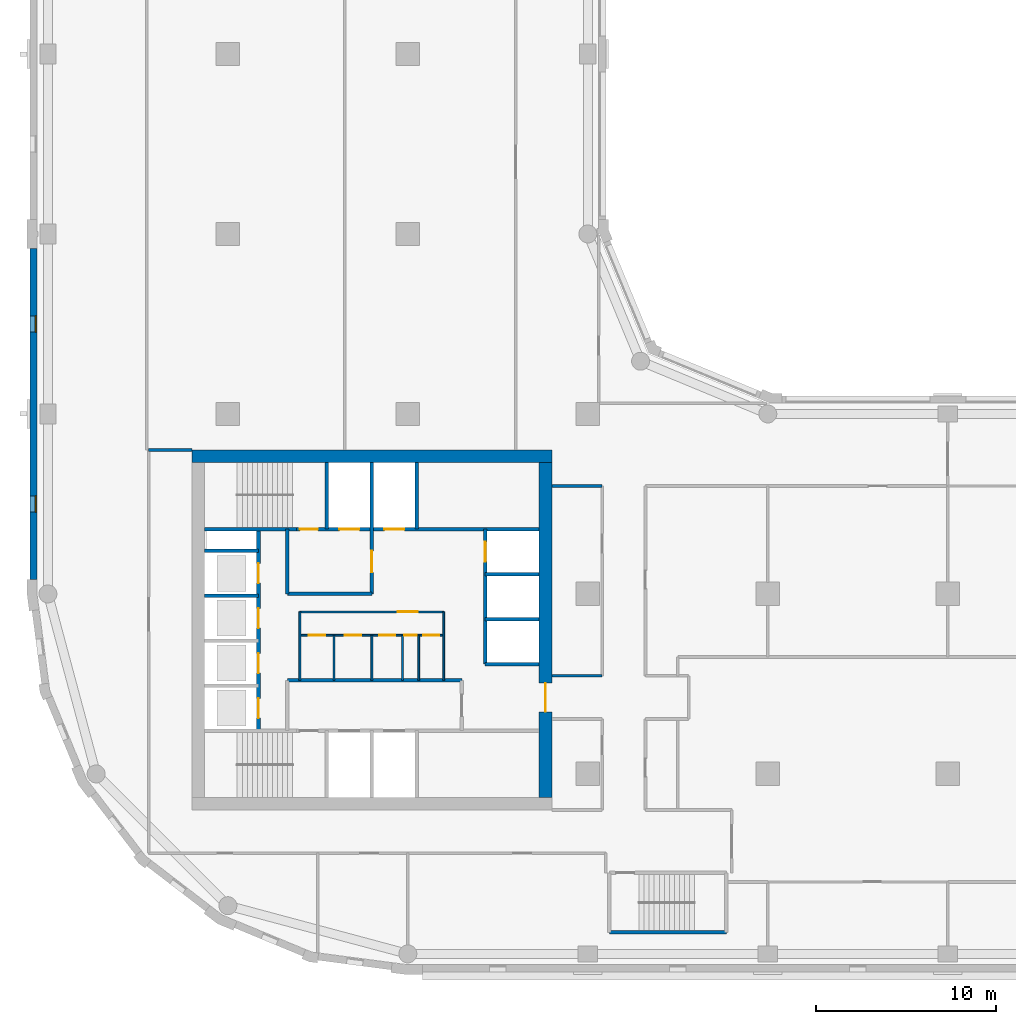
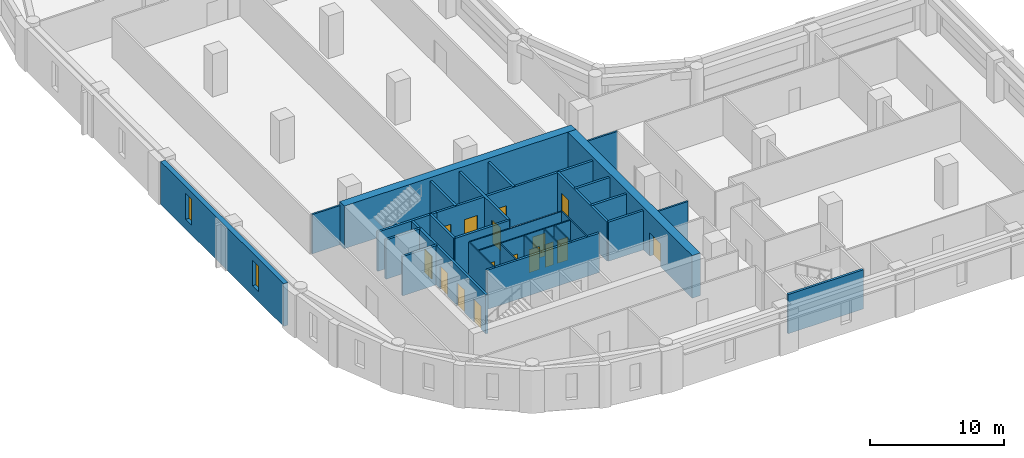
# One storey, part 3 of 9: 30 walls, 16 doors, 2 windows, 18 openings.
"""IFC4 building model written with IfcOpenShell, lengths in metres."""

from ifc_helpers import new_model, si_unit, direction, frame, frame_2d, origin, place, context, subcontext, project, spatial, rectangle, extrude, material, layer, layer_set, type_object, element, fill, save


model = new_model("IFC4")

# Units and contexts
model_context = context("Model", 3, precision=1e-05, world=origin(), true_north=direction((0.0, 1.0)))
body_context = subcontext(model_context, "Body", "Model", "MODEL_VIEW")
ifc_project = project(units=[si_unit("LENGTHUNIT", "METRE"), si_unit("AREAUNIT", "SQUARE_METRE"), si_unit("VOLUMEUNIT", "CUBIC_METRE"), si_unit("PLANEANGLEUNIT", "RADIAN"), si_unit("MASSUNIT", "GRAM", prefix="KILO")], contexts=[model_context])

# Site, building, storey
site_placement = place(None, origin())
site = spatial("IfcSite", under=ifc_project, at=site_placement, CompositionType="ELEMENT")
building_placement = place(site_placement, origin())
building = spatial("IfcBuilding", under=site, at=building_placement, Name="Qaws Garden Tower", CompositionType="ELEMENT")
storey_placement = place(building_placement, frame((0.0, 0.0, 151.199951171875)))
storey = spatial("IfcBuildingStorey", under=building, at=storey_placement, Name="L36", CompositionType="ELEMENT", Elevation=151.199951171875)

# Wall, openings, windows
ifc_material_1 = material(Name="Clay facing brick masonry", Category="masonry")
ifc_layer_1 = layer(ifc_material_1, 0.39990234375)
ifc_layer_set_1 = layer_set([ifc_layer_1], Name="Clay facing brick masonry")
wall_type_1 = type_object("IfcWallType", Name="Brick infill wall 400", PredefinedType="SOLIDWALL", material=ifc_layer_set_1)
wall_1_placement = place(storey_placement, frame((-0.800048828125, 39.199951171875, 0.0), z_axis=(0.0, 0.0, 1.0), x_axis=(0.0, -1.0, 0.0)))
wall_1 = element("IfcWall", 1, at=wall_1_placement, inside=storey, type_object=wall_type_1, Name="E-L36-infill-23", PredefinedType="SOLIDWALL", context=body_context, shape_type="SweptSolid", body=[
    extrude(rectangle(XDim=18.39990234375, YDim=0.39990234375, at=frame_2d((9.199951171875, 0.0))), origin(), (0.0, 0.0, 1.0), 3.900146484375),
])
opening_1_placement = place(wall_1_placement, frame((3.75, 0.0, 0.89990234375)))
opening_1 = element("IfcOpeningElement", 2, at=opening_1_placement, cuts=wall_1, Name="Opening W09", PredefinedType="OPENING", context=body_context, shape_type="SweptSolid", body=[
    extrude(rectangle(XDim=0.89990234375, YDim=2.35009765625, at=frame_2d((0.449951171875, 1.175048828125))), frame((0.0, 0.2099609375, 0.0), z_axis=(0.0, -1.0, 0.0), x_axis=(1.0, 0.0, 0.0)), (0.0, 0.0, 1.0), 0.419921875),
])
opening_2_placement = place(wall_1_placement, frame((13.75, 0.0, 0.89990234375)))
opening_2 = element("IfcOpeningElement", 3, at=opening_2_placement, cuts=wall_1, Name="Opening W09", PredefinedType="OPENING", context=body_context, shape_type="SweptSolid", body=[
    extrude(rectangle(XDim=0.89990234375, YDim=2.35009765625, at=frame_2d((0.449951171875, 1.175048828125))), frame((0.0, 0.2099609375, 0.0), z_axis=(0.0, -1.0, 0.0), x_axis=(1.0, 0.0, 0.0)), (0.0, 0.0, 1.0), 0.419921875),
])
ifc_material_2 = material(Name="Aluminium framed window, clear glazing", Category="aluminium")
window_type = type_object("IfcWindowType", Name="Slit window 900 x 2350", PartitioningType="SINGLE_PANEL", PredefinedType="WINDOW", material=ifc_material_2)
window_1_placement = place(opening_1_placement, origin())
window_1 = element("IfcWindow", 4, at=window_1_placement, inside=storey, type_object=window_type, Name="E-L36-window-23-0", OverallHeight=2.35009765625, OverallWidth=0.89990234375, PartitioningType="SINGLE_PANEL", PredefinedType="WINDOW", context=body_context, shape_type="SweptSolid", body=[
    extrude(rectangle(XDim=0.89990234375, YDim=2.35009765625, at=frame_2d((0.449951171875, 1.175048828125))), frame((0.0, 0.159912109375, 0.0), z_axis=(0.0, -1.0, 0.0), x_axis=(1.0, 0.0, 0.0)), (0.0, 0.0, 1.0), 0.06005859375),
])
fill(opening_1, window_1)
window_2_placement = place(opening_2_placement, origin())
window_2 = element("IfcWindow", 5, at=window_2_placement, inside=storey, type_object=window_type, Name="E-L36-window-24-0", OverallHeight=2.35009765625, OverallWidth=0.89990234375, PartitioningType="SINGLE_PANEL", PredefinedType="WINDOW", context=body_context, shape_type="SweptSolid", body=[
    extrude(rectangle(XDim=0.89990234375, YDim=2.35009765625, at=frame_2d((0.449951171875, 1.175048828125))), frame((0.0, 0.159912109375, 0.0), z_axis=(0.0, -1.0, 0.0), x_axis=(1.0, 0.0, 0.0)), (0.0, 0.0, 1.0), 0.06005859375),
])
fill(opening_2, window_2)

# Wall, openings, doors
ifc_material_3 = material(Name="Plasterboard")
ifc_layer_2 = layer(ifc_material_3, 0.10009765625)
ifc_layer_set_2 = layer_set([ifc_layer_2], Name="Plasterboard")
wall_type_2 = type_object("IfcWallType", Name="Core partition 100", PredefinedType="PARTITIONING", material=ifc_layer_set_2)
wall_2_placement = place(storey_placement, frame((14.0, 17.699951171875, 0.0), z_axis=(0.0, 0.0, 1.0), x_axis=(1.0, 0.0, 0.0)))
wall_2 = element("IfcWall", 6, at=wall_2_placement, inside=storey, type_object=wall_type_2, Name="Core partition", PredefinedType="PARTITIONING", context=body_context, shape_type="SweptSolid", body=[
    extrude(rectangle(XDim=8.0, YDim=0.10009765625, at=frame_2d((4.0, 0.0))), origin(), (0.0, 0.0, 1.0), 3.580078125),
])
opening_3_placement = place(wall_2_placement, frame((0.5, 0.0, 0.0)))
opening_3 = element("IfcOpeningElement", 7, at=opening_3_placement, cuts=wall_2, Name="Opening WD18", PredefinedType="OPENING", context=body_context, shape_type="SweptSolid", body=[
    extrude(rectangle(XDim=0.89990234375, YDim=2.10009765625, at=frame_2d((0.449951171875, 1.050048828125))), frame((0.0, 0.06005859375, 0.0), z_axis=(0.0, -1.0, 0.0), x_axis=(1.0, 0.0, 0.0)), (0.0, 0.0, 1.0), 0.1201171875),
])
opening_4_placement = place(wall_2_placement, frame((2.5, 0.0, 0.0)))
opening_4 = element("IfcOpeningElement", 8, at=opening_4_placement, cuts=wall_2, Name="Opening WD19", PredefinedType="OPENING", context=body_context, shape_type="SweptSolid", body=[
    extrude(rectangle(XDim=0.89990234375, YDim=2.10009765625, at=frame_2d((0.449951171875, 1.050048828125))), frame((0.0, 0.06005859375, 0.0), z_axis=(0.0, -1.0, 0.0), x_axis=(1.0, 0.0, 0.0)), (0.0, 0.0, 1.0), 0.1201171875),
])
opening_5_placement = place(wall_2_placement, frame((4.39990234375, 0.0, 0.0)))
opening_5 = element("IfcOpeningElement", 9, at=opening_5_placement, cuts=wall_2, Name="Opening WD20", PredefinedType="OPENING", context=body_context, shape_type="SweptSolid", body=[
    extrude(rectangle(XDim=0.89990234375, YDim=2.10009765625, at=frame_2d((0.449951171875, 1.050048828125))), frame((0.0, 0.06005859375, 0.0), z_axis=(0.0, -1.0, 0.0), x_axis=(1.0, 0.0, 0.0)), (0.0, 0.0, 1.0), 0.1201171875),
])
opening_6_placement = place(wall_2_placement, frame((5.800048828125, 0.0, 0.0)))
opening_6 = element("IfcOpeningElement", 10, at=opening_6_placement, cuts=wall_2, Name="Opening XD21", PredefinedType="OPENING", context=body_context, shape_type="SweptSolid", body=[
    extrude(rectangle(XDim=0.699951171875, YDim=2.10009765625, at=frame_2d((0.35009765625, 1.050048828125))), frame((0.0, 0.06005859375, 0.0), z_axis=(0.0, -1.0, 0.0), x_axis=(1.0, 0.0, 0.0)), (0.0, 0.0, 1.0), 0.1201171875),
])
opening_7_placement = place(wall_2_placement, frame((6.85009765625, 0.0, 0.0)))
opening_7 = element("IfcOpeningElement", 11, at=opening_7_placement, cuts=wall_2, Name="Opening WD22", PredefinedType="OPENING", context=body_context, shape_type="SweptSolid", body=[
    extrude(rectangle(XDim=0.89990234375, YDim=2.10009765625, at=frame_2d((0.449951171875, 1.050048828125))), frame((0.0, 0.06005859375, 0.0), z_axis=(0.0, -1.0, 0.0), x_axis=(1.0, 0.0, 0.0)), (0.0, 0.0, 1.0), 0.1201171875),
])
ifc_material_4 = material(Name="Timber", Category="wood")
door_type_1 = type_object("IfcDoorType", Name="Store door 700x2100", OperationType="SINGLE_SWING_LEFT", PredefinedType="DOOR", material=ifc_material_4)
door_1_placement = place(opening_6_placement, frame((0.699951171875, 0.0, 0.0), z_axis=(0.0, 0.0, 1.0), x_axis=(-1.0, 0.0, 0.0)))
door_1 = element("IfcDoor", 12, at=door_1_placement, inside=storey, type_object=door_type_1, Name="Cleaner's store door", OperationType="SINGLE_SWING_LEFT", OverallHeight=2.10009765625, OverallWidth=0.699951171875, PredefinedType="DOOR", context=body_context, shape_type="SweptSolid", body=[
    extrude(rectangle(XDim=0.699951171875, YDim=2.10009765625, at=frame_2d((0.35009765625, 1.050048828125))), frame((0.0, 0.02490234375, 0.0), z_axis=(0.0, -1.0, 0.0), x_axis=(1.0, 0.0, 0.0)), (0.0, 0.0, 1.0), 0.050048828125),
])
fill(opening_6, door_1)
ifc_material_5 = material(Name="Timber", Category="wood")
door_type_2 = type_object("IfcDoorType", Name="WC door 900x2100", OperationType="SINGLE_SWING_LEFT", PredefinedType="DOOR", material=ifc_material_5)
door_2_placement = place(opening_3_placement, frame((0.89990234375, 0.0, 0.0), z_axis=(0.0, 0.0, 1.0), x_axis=(-1.0, 0.0, 0.0)))
door_2 = element("IfcDoor", 13, at=door_2_placement, inside=storey, type_object=door_type_2, Name="Men's WC door", OperationType="SINGLE_SWING_LEFT", OverallHeight=2.10009765625, OverallWidth=0.89990234375, PredefinedType="DOOR", context=body_context, shape_type="SweptSolid", body=[
    extrude(rectangle(XDim=0.89990234375, YDim=2.10009765625, at=frame_2d((0.449951171875, 1.050048828125))), frame((0.0, 0.02490234375, 0.0), z_axis=(0.0, -1.0, 0.0), x_axis=(1.0, 0.0, 0.0)), (0.0, 0.0, 1.0), 0.050048828125),
])
fill(opening_3, door_2)
door_3_placement = place(opening_4_placement, frame((0.89990234375, 0.0, 0.0), z_axis=(0.0, 0.0, 1.0), x_axis=(-1.0, 0.0, 0.0)))
door_3 = element("IfcDoor", 14, at=door_3_placement, inside=storey, type_object=door_type_2, Name="Women's WC door", OperationType="SINGLE_SWING_LEFT", OverallHeight=2.10009765625, OverallWidth=0.89990234375, PredefinedType="DOOR", context=body_context, shape_type="SweptSolid", body=[
    extrude(rectangle(XDim=0.89990234375, YDim=2.10009765625, at=frame_2d((0.449951171875, 1.050048828125))), frame((0.0, 0.02490234375, 0.0), z_axis=(0.0, -1.0, 0.0), x_axis=(1.0, 0.0, 0.0)), (0.0, 0.0, 1.0), 0.050048828125),
])
fill(opening_4, door_3)
door_4_placement = place(opening_5_placement, frame((0.89990234375, 0.0, 0.0), z_axis=(0.0, 0.0, 1.0), x_axis=(-1.0, 0.0, 0.0)))
door_4 = element("IfcDoor", 15, at=door_4_placement, inside=storey, type_object=door_type_2, Name="Accessible WC door", OperationType="SINGLE_SWING_LEFT", OverallHeight=2.10009765625, OverallWidth=0.89990234375, PredefinedType="DOOR", context=body_context, shape_type="SweptSolid", body=[
    extrude(rectangle(XDim=0.89990234375, YDim=2.10009765625, at=frame_2d((0.449951171875, 1.050048828125))), frame((0.0, 0.02490234375, 0.0), z_axis=(0.0, -1.0, 0.0), x_axis=(1.0, 0.0, 0.0)), (0.0, 0.0, 1.0), 0.050048828125),
])
fill(opening_5, door_4)
door_5_placement = place(opening_7_placement, frame((0.89990234375, 0.0, 0.0), z_axis=(0.0, 0.0, 1.0), x_axis=(-1.0, 0.0, 0.0)))
door_5 = element("IfcDoor", 16, at=door_5_placement, inside=storey, type_object=door_type_2, Name="Linen store door", OperationType="SINGLE_SWING_LEFT", OverallHeight=2.10009765625, OverallWidth=0.89990234375, PredefinedType="DOOR", context=body_context, shape_type="SweptSolid", body=[
    extrude(rectangle(XDim=0.89990234375, YDim=2.10009765625, at=frame_2d((0.449951171875, 1.050048828125))), frame((0.0, 0.02490234375, 0.0), z_axis=(0.0, -1.0, 0.0), x_axis=(1.0, 0.0, 0.0)), (0.0, 0.0, 1.0), 0.050048828125),
])
fill(opening_7, door_5)

# Wall, opening, door
wall_3_placement = place(storey_placement, frame((14.0, 19.0, 0.0), z_axis=(0.0, 0.0, 1.0), x_axis=(1.0, 0.0, 0.0)))
wall_3 = element("IfcWall", 17, at=wall_3_placement, inside=storey, type_object=wall_type_2, Name="Core partition", PredefinedType="PARTITIONING", context=body_context, shape_type="SweptSolid", body=[
    extrude(rectangle(XDim=8.0, YDim=0.10009765625, at=frame_2d((4.0, 0.0))), origin(), (0.0, 0.0, 1.0), 3.580078125),
])
opening_8_placement = place(wall_3_placement, frame((5.449951171875, 0.0, 0.0)))
opening_8 = element("IfcOpeningElement", 18, at=opening_8_placement, cuts=wall_3, Name="Opening WL17", PredefinedType="OPENING", context=body_context, shape_type="SweptSolid", body=[
    extrude(rectangle(XDim=1.10009765625, YDim=2.10009765625, at=frame_2d((0.550048828125, 1.050048828125))), frame((0.0, 0.06005859375, 0.0), z_axis=(0.0, -1.0, 0.0), x_axis=(1.0, 0.0, 0.0)), (0.0, 0.0, 1.0), 0.1201171875),
])
ifc_material_6 = material(Name="Timber", Category="wood")
door_type_3 = type_object("IfcDoorType", Name="WC lobby door 1100x2100", OperationType="SINGLE_SWING_LEFT", PredefinedType="DOOR", material=ifc_material_6)
door_6_placement = place(opening_8_placement, frame((1.10009765625, 0.0, 0.0), z_axis=(0.0, 0.0, 1.0), x_axis=(-1.0, 0.0, 0.0)))
door_6 = element("IfcDoor", 19, at=door_6_placement, inside=storey, type_object=door_type_3, Name="WC lobby door", OperationType="SINGLE_SWING_LEFT", OverallHeight=2.10009765625, OverallWidth=1.10009765625, PredefinedType="DOOR", context=body_context, shape_type="SweptSolid", body=[
    extrude(rectangle(XDim=1.10009765625, YDim=2.10009765625, at=frame_2d((0.550048828125, 1.050048828125))), frame((0.0, 0.02490234375, 0.0), z_axis=(0.0, -1.0, 0.0), x_axis=(1.0, 0.0, 0.0)), (0.0, 0.0, 1.0), 0.050048828125),
])
fill(opening_8, door_6)

# Walls
wall_4_placement = place(storey_placement, frame((14.0, 15.199951171875, 0.0), z_axis=(0.0, 0.0, 1.0), x_axis=(0.0, 1.0, 0.0)))
element("IfcWall", 20, at=wall_4_placement, inside=storey, type_object=wall_type_2, Name="Core partition", PredefinedType="PARTITIONING", context=body_context, shape_type="SweptSolid", body=[
    extrude(rectangle(XDim=3.800048828125, YDim=0.10009765625, at=frame_2d((1.89990234375, 0.0))), origin(), (0.0, 0.0, 1.0), 3.580078125),
])
for number, where, z_axis, x_axis, name in (
    (21, (15.89990234375, 15.199951171875, 0.0), (0.0, 0.0, 1.0), (0.0, 1.0, 0.0), "Core partition"),
    (22, (18.0, 15.199951171875, 0.0), (0.0, 0.0, 1.0), (0.0, 1.0, 0.0), "Core partition"),
    (23, (19.699951171875, 15.199951171875, 0.0), (0.0, 0.0, 1.0), (0.0, 1.0, 0.0), "Core partition"),
    (24, (20.60009765625, 15.199951171875, 0.0), (0.0, 0.0, 1.0), (0.0, 1.0, 0.0), "Core partition"),
):
    element("IfcWall", number, at=place(storey_placement, frame(where, z_axis=z_axis, x_axis=x_axis)), inside=storey, type_object=wall_type_2, Name=name, PredefinedType="PARTITIONING", context=body_context, shape_type="SweptSolid", body=[
        extrude(rectangle(XDim=2.5, YDim=0.10009765625, at=frame_2d((1.25, 0.0))), origin(), (0.0, 0.0, 1.0), 3.580078125),
    ])
wall_5_placement = place(storey_placement, frame((22.0, 15.199951171875, 0.0), z_axis=(0.0, 0.0, 1.0), x_axis=(0.0, 1.0, 0.0)))
element("IfcWall", 25, at=wall_5_placement, inside=storey, type_object=wall_type_2, Name="Core partition", PredefinedType="PARTITIONING", context=body_context, shape_type="SweptSolid", body=[
    extrude(rectangle(XDim=3.800048828125, YDim=0.10009765625, at=frame_2d((1.89990234375, 0.0))), origin(), (0.0, 0.0, 1.0), 3.580078125),
])
ifc_material_7 = material(Name="Concrete C70", Category="concrete")
ifc_layer_3 = layer(ifc_material_7, 0.199951171875)
ifc_layer_set_3 = layer_set([ifc_layer_3], Name="Concrete C70")
wall_type_3 = type_object("IfcWallType", Name="Core shaft wall 200 C70", PredefinedType="SHEAR", material=ifc_layer_set_3)
wall_6_placement = place(storey_placement, frame((31.199951171875, 1.199951171875, 0.0), z_axis=(0.0, 0.0, 1.0), x_axis=(1.0, 0.0, 0.0)))
element("IfcWall", 26, at=wall_6_placement, inside=storey, type_object=wall_type_3, Name="Shaft wall", PredefinedType="SHEAR", context=body_context, shape_type="SweptSolid", body=[
    extrude(rectangle(XDim=6.5, YDim=0.199951171875, at=frame_2d((3.25, 0.0))), origin(), (0.0, 0.0, 1.0), 3.580078125),
])
wall_7_placement = place(storey_placement, frame((13.300048828125, 15.199951171875, 0.0), z_axis=(0.0, 0.0, 1.0), x_axis=(1.0, 0.0, 0.0)))
element("IfcWall", 27, at=wall_7_placement, inside=storey, type_object=wall_type_3, Name="Shaft wall", PredefinedType="SHEAR", context=body_context, shape_type="SweptSolid", body=[
    extrude(rectangle(XDim=9.699951171875, YDim=0.199951171875, at=frame_2d((4.85009765625, 0.0))), origin(), (0.0, 0.0, 1.0), 3.580078125),
])
for number, where, z_axis, x_axis, name in (
    (28, (24.300048828125, 16.10009765625, 0.0), (0.0, 0.0, 1.0), (1.0, 0.0, 0.0), "Shaft wall"),
    (29, (24.300048828125, 18.60009765625, 0.0), (0.0, 0.0, 1.0), (1.0, 0.0, 0.0), "Shaft wall"),
    (30, (8.699951171875, 19.89990234375, 0.0), (0.0, 0.0, 1.0), (1.0, 0.0, 0.0), "Shaft wall"),
):
    element("IfcWall", number, at=place(storey_placement, frame(where, z_axis=z_axis, x_axis=x_axis)), inside=storey, type_object=wall_type_3, Name=name, PredefinedType="SHEAR", context=body_context, shape_type="SweptSolid", body=[
        extrude(rectangle(XDim=3.0, YDim=0.199951171875, at=frame_2d((1.5, 0.0))), origin(), (0.0, 0.0, 1.0), 3.580078125),
    ])
wall_8_placement = place(storey_placement, frame((13.300048828125, 20.0, 0.0), z_axis=(0.0, 0.0, 1.0), x_axis=(1.0, 0.0, 0.0)))
element("IfcWall", 31, at=wall_8_placement, inside=storey, type_object=wall_type_3, Name="Shaft wall", PredefinedType="SHEAR", context=body_context, shape_type="SweptSolid", body=[
    extrude(rectangle(XDim=4.699951171875, YDim=0.199951171875, at=frame_2d((2.35009765625, 0.0))), origin(), (0.0, 0.0, 1.0), 3.580078125),
])
for number, where, z_axis, x_axis, name in (
    (32, (24.300048828125, 21.10009765625, 0.0), (0.0, 0.0, 1.0), (1.0, 0.0, 0.0), "Shaft wall"),
    (33, (8.699951171875, 22.39990234375, 0.0), (0.0, 0.0, 1.0), (1.0, 0.0, 0.0), "Shaft wall"),
):
    element("IfcWall", number, at=place(storey_placement, frame(where, z_axis=z_axis, x_axis=x_axis)), inside=storey, type_object=wall_type_3, Name=name, PredefinedType="SHEAR", context=body_context, shape_type="SweptSolid", body=[
        extrude(rectangle(XDim=3.0, YDim=0.199951171875, at=frame_2d((1.5, 0.0))), origin(), (0.0, 0.0, 1.0), 3.580078125),
    ])
wall_9_placement = place(storey_placement, frame((8.699951171875, 23.60009765625, 0.0), z_axis=(0.0, 0.0, 1.0), x_axis=(1.0, 0.0, 0.0)))
element("IfcWall", 34, at=wall_9_placement, inside=storey, type_object=wall_type_3, Name="Shaft wall", PredefinedType="SHEAR", context=body_context, shape_type="SweptSolid", body=[
    extrude(rectangle(XDim=5.10009765625, YDim=0.199951171875, at=frame_2d((2.550048828125, 0.0))), origin(), (0.0, 0.0, 1.0), 3.580078125),
])

# Wall, openings, doors
wall_10_placement = place(storey_placement, frame((13.800048828125, 23.60009765625, 0.0), z_axis=(0.0, 0.0, 1.0), x_axis=(1.0, 0.0, 0.0)))
wall_10 = element("IfcWall", 35, at=wall_10_placement, inside=storey, type_object=wall_type_3, Name="Shaft wall", PredefinedType="SHEAR", context=body_context, shape_type="SweptSolid", body=[
    extrude(rectangle(XDim=13.5, YDim=0.199951171875, at=frame_2d((6.75, 0.0))), origin(), (0.0, 0.0, 1.0), 3.580078125),
])
opening_9_placement = place(wall_10_placement, frame((2.39990234375, 0.0, 0.0)))
opening_9 = element("IfcOpeningElement", 36, at=opening_9_placement, cuts=wall_10, Name="Opening LD08", PredefinedType="OPENING", context=body_context, shape_type="SweptSolid", body=[
    extrude(rectangle(XDim=1.10009765625, YDim=2.10009765625, at=frame_2d((0.550048828125, 1.050048828125))), frame((0.0, 0.10986328125, 0.0), z_axis=(0.0, -1.0, 0.0), x_axis=(1.0, 0.0, 0.0)), (0.0, 0.0, 1.0), 0.219970703125),
])
opening_10_placement = place(wall_10_placement, frame((4.89990234375, 0.0, 0.0)))
opening_10 = element("IfcOpeningElement", 37, at=opening_10_placement, cuts=wall_10, Name="Opening LD09", PredefinedType="OPENING", context=body_context, shape_type="SweptSolid", body=[
    extrude(rectangle(XDim=1.10009765625, YDim=2.10009765625, at=frame_2d((0.550048828125, 1.050048828125))), frame((0.0, 0.10986328125, 0.0), z_axis=(0.0, -1.0, 0.0), x_axis=(1.0, 0.0, 0.0)), (0.0, 0.0, 1.0), 0.219970703125),
])
opening_11_placement = place(wall_10_placement, frame((0.199951171875, 0.0, 0.0)))
opening_11 = element("IfcOpeningElement", 38, at=opening_11_placement, cuts=wall_10, Name="Opening SD11", PredefinedType="OPENING", context=body_context, shape_type="SweptSolid", body=[
    extrude(rectangle(XDim=1.0, YDim=2.10009765625, at=frame_2d((0.5, 1.050048828125))), frame((0.0, 0.10986328125, 0.0), z_axis=(0.0, -1.0, 0.0), x_axis=(1.0, 0.0, 0.0)), (0.0, 0.0, 1.0), 0.219970703125),
])
ifc_material_8 = material(Name="Steel S235", Category="steel")
door_type_4 = type_object("IfcDoorType", Name="Landing door 1100x2100", OperationType="DOUBLE_DOOR_SLIDING", PredefinedType="DOOR", material=ifc_material_8)
door_7_placement = place(opening_9_placement, origin())
door_7 = element("IfcDoor", 39, at=door_7_placement, inside=storey, type_object=door_type_4, Name="Lift FF3 landing door", OperationType="DOUBLE_DOOR_SLIDING", OverallHeight=2.10009765625, OverallWidth=1.10009765625, PredefinedType="DOOR", context=body_context, shape_type="SweptSolid", body=[
    extrude(rectangle(XDim=1.10009765625, YDim=2.10009765625, at=frame_2d((0.550048828125, 1.050048828125))), frame((0.0, 0.02490234375, 0.0), z_axis=(0.0, -1.0, 0.0), x_axis=(1.0, 0.0, 0.0)), (0.0, 0.0, 1.0), 0.050048828125),
])
fill(opening_9, door_7)
door_8_placement = place(opening_10_placement, origin())
door_8 = element("IfcDoor", 40, at=door_8_placement, inside=storey, type_object=door_type_4, Name="Lift SV2 landing door", OperationType="DOUBLE_DOOR_SLIDING", OverallHeight=2.10009765625, OverallWidth=1.10009765625, PredefinedType="DOOR", context=body_context, shape_type="SweptSolid", body=[
    extrude(rectangle(XDim=1.10009765625, YDim=2.10009765625, at=frame_2d((0.550048828125, 1.050048828125))), frame((0.0, 0.02490234375, 0.0), z_axis=(0.0, -1.0, 0.0), x_axis=(1.0, 0.0, 0.0)), (0.0, 0.0, 1.0), 0.050048828125),
])
fill(opening_10, door_8)
ifc_material_9 = material(Name="Steel S235", Category="steel")
door_type_5 = type_object("IfcDoorType", Name="Stair door 1000x2100", OperationType="SINGLE_SWING_RIGHT", PredefinedType="DOOR", material=ifc_material_9)
door_9_placement = place(opening_11_placement, origin())
door_9 = element("IfcDoor", 41, at=door_9_placement, inside=storey, type_object=door_type_5, Name="Stair 4 door", OperationType="SINGLE_SWING_RIGHT", OverallHeight=2.10009765625, OverallWidth=1.0, PredefinedType="DOOR", context=body_context, shape_type="SweptSolid", body=[
    extrude(rectangle(XDim=1.0, YDim=2.10009765625, at=frame_2d((0.5, 1.050048828125))), frame((0.0, 0.02490234375, 0.0), z_axis=(0.0, -1.0, 0.0), x_axis=(1.0, 0.0, 0.0)), (0.0, 0.0, 1.0), 0.050048828125),
])
fill(opening_11, door_9)

wall_11_placement = place(storey_placement, frame((11.699951171875, 12.39990234375, 0.0), z_axis=(0.0, 0.0, 1.0), x_axis=(0.0, 1.0, 0.0)))
wall_11 = element("IfcWall", 42, at=wall_11_placement, inside=storey, type_object=wall_type_3, Name="Shaft wall", PredefinedType="SHEAR", context=body_context, shape_type="SweptSolid", body=[
    extrude(rectangle(XDim=11.2001953125, YDim=0.199951171875, at=frame_2d((5.60009765625, 0.0))), origin(), (0.0, 0.0, 1.0), 3.580078125),
])
opening_12_placement = place(wall_11_placement, frame((0.699951171875, 0.0, 0.0)))
opening_12 = element("IfcOpeningElement", 43, at=opening_12_placement, cuts=wall_11, Name="Opening LD01", PredefinedType="OPENING", context=body_context, shape_type="SweptSolid", body=[
    extrude(rectangle(XDim=1.10009765625, YDim=2.10009765625, at=frame_2d((0.550048828125, 1.050048828125))), frame((0.0, 0.10986328125, 0.0), z_axis=(0.0, -1.0, 0.0), x_axis=(1.0, 0.0, 0.0)), (0.0, 0.0, 1.0), 0.219970703125),
])
opening_13_placement = place(wall_11_placement, frame((3.199951171875, 0.0, 0.0)))
opening_13 = element("IfcOpeningElement", 44, at=opening_13_placement, cuts=wall_11, Name="Opening LD02", PredefinedType="OPENING", context=body_context, shape_type="SweptSolid", body=[
    extrude(rectangle(XDim=1.10009765625, YDim=2.10009765625, at=frame_2d((0.550048828125, 1.050048828125))), frame((0.0, 0.10986328125, 0.0), z_axis=(0.0, -1.0, 0.0), x_axis=(1.0, 0.0, 0.0)), (0.0, 0.0, 1.0), 0.219970703125),
])
opening_14_placement = place(wall_11_placement, frame((5.699951171875, 0.0, 0.0)))
opening_14 = element("IfcOpeningElement", 45, at=opening_14_placement, cuts=wall_11, Name="Opening LD03", PredefinedType="OPENING", context=body_context, shape_type="SweptSolid", body=[
    extrude(rectangle(XDim=1.10009765625, YDim=2.10009765625, at=frame_2d((0.550048828125, 1.050048828125))), frame((0.0, 0.10986328125, 0.0), z_axis=(0.0, -1.0, 0.0), x_axis=(1.0, 0.0, 0.0)), (0.0, 0.0, 1.0), 0.219970703125),
])
opening_15_placement = place(wall_11_placement, frame((8.199951171875, 0.0, 0.0)))
opening_15 = element("IfcOpeningElement", 46, at=opening_15_placement, cuts=wall_11, Name="Opening LD04", PredefinedType="OPENING", context=body_context, shape_type="SweptSolid", body=[
    extrude(rectangle(XDim=1.10009765625, YDim=2.10009765625, at=frame_2d((0.550048828125, 1.050048828125))), frame((0.0, 0.10986328125, 0.0), z_axis=(0.0, -1.0, 0.0), x_axis=(1.0, 0.0, 0.0)), (0.0, 0.0, 1.0), 0.219970703125),
])
door_10_placement = place(opening_12_placement, origin())
door_10 = element("IfcDoor", 47, at=door_10_placement, inside=storey, type_object=door_type_4, Name="Lift W1 landing door", OperationType="DOUBLE_DOOR_SLIDING", OverallHeight=2.10009765625, OverallWidth=1.10009765625, PredefinedType="DOOR", context=body_context, shape_type="SweptSolid", body=[
    extrude(rectangle(XDim=1.10009765625, YDim=2.10009765625, at=frame_2d((0.550048828125, 1.050048828125))), frame((0.0, 0.02490234375, 0.0), z_axis=(0.0, -1.0, 0.0), x_axis=(1.0, 0.0, 0.0)), (0.0, 0.0, 1.0), 0.050048828125),
])
fill(opening_12, door_10)
door_11_placement = place(opening_13_placement, origin())
door_11 = element("IfcDoor", 48, at=door_11_placement, inside=storey, type_object=door_type_4, Name="Lift W2 landing door", OperationType="DOUBLE_DOOR_SLIDING", OverallHeight=2.10009765625, OverallWidth=1.10009765625, PredefinedType="DOOR", context=body_context, shape_type="SweptSolid", body=[
    extrude(rectangle(XDim=1.10009765625, YDim=2.10009765625, at=frame_2d((0.550048828125, 1.050048828125))), frame((0.0, 0.02490234375, 0.0), z_axis=(0.0, -1.0, 0.0), x_axis=(1.0, 0.0, 0.0)), (0.0, 0.0, 1.0), 0.050048828125),
])
fill(opening_13, door_11)
door_12_placement = place(opening_14_placement, origin())
door_12 = element("IfcDoor", 49, at=door_12_placement, inside=storey, type_object=door_type_4, Name="Lift W3 landing door", OperationType="DOUBLE_DOOR_SLIDING", OverallHeight=2.10009765625, OverallWidth=1.10009765625, PredefinedType="DOOR", context=body_context, shape_type="SweptSolid", body=[
    extrude(rectangle(XDim=1.10009765625, YDim=2.10009765625, at=frame_2d((0.550048828125, 1.050048828125))), frame((0.0, 0.02490234375, 0.0), z_axis=(0.0, -1.0, 0.0), x_axis=(1.0, 0.0, 0.0)), (0.0, 0.0, 1.0), 0.050048828125),
])
fill(opening_14, door_12)
door_13_placement = place(opening_15_placement, origin())
door_13 = element("IfcDoor", 50, at=door_13_placement, inside=storey, type_object=door_type_4, Name="Lift W4 landing door", OperationType="DOUBLE_DOOR_SLIDING", OverallHeight=2.10009765625, OverallWidth=1.10009765625, PredefinedType="DOOR", context=body_context, shape_type="SweptSolid", body=[
    extrude(rectangle(XDim=1.10009765625, YDim=2.10009765625, at=frame_2d((0.550048828125, 1.050048828125))), frame((0.0, 0.02490234375, 0.0), z_axis=(0.0, -1.0, 0.0), x_axis=(1.0, 0.0, 0.0)), (0.0, 0.0, 1.0), 0.050048828125),
])
fill(opening_15, door_13)

# Walls
wall_12_placement = place(storey_placement, frame((13.300048828125, 20.0, 0.0), z_axis=(0.0, 0.0, 1.0), x_axis=(0.0, 1.0, 0.0)))
element("IfcWall", 51, at=wall_12_placement, inside=storey, type_object=wall_type_3, Name="Shaft wall", PredefinedType="SHEAR", context=body_context, shape_type="SweptSolid", body=[
    extrude(rectangle(XDim=3.60009765625, YDim=0.199951171875, at=frame_2d((1.800048828125, 0.0))), origin(), (0.0, 0.0, 1.0), 3.580078125),
])
wall_13_placement = place(storey_placement, frame((15.5, 23.60009765625, 0.0), z_axis=(0.0, 0.0, 1.0), x_axis=(0.0, 1.0, 0.0)))
element("IfcWall", 52, at=wall_13_placement, inside=storey, type_object=wall_type_3, Name="Shaft wall", PredefinedType="SHEAR", context=body_context, shape_type="SweptSolid", body=[
    extrude(rectangle(XDim=3.699951171875, YDim=0.199951171875, at=frame_2d((1.85009765625, 0.0))), origin(), (0.0, 0.0, 1.0), 3.580078125),
])

# Wall, opening, door
wall_14_placement = place(storey_placement, frame((18.0, 20.0, 0.0), z_axis=(0.0, 0.0, 1.0), x_axis=(0.0, 1.0, 0.0)))
wall_14 = element("IfcWall", 53, at=wall_14_placement, inside=storey, type_object=wall_type_3, Name="Shaft wall", PredefinedType="SHEAR", context=body_context, shape_type="SweptSolid", body=[
    extrude(rectangle(XDim=7.300048828125, YDim=0.199951171875, at=frame_2d((3.64990234375, 0.0))), origin(), (0.0, 0.0, 1.0), 3.580078125),
])
opening_16_placement = place(wall_14_placement, frame((1.199951171875, 0.0, 0.0)))
opening_16 = element("IfcOpeningElement", 54, at=opening_16_placement, cuts=wall_14, Name="Opening FD16", PredefinedType="OPENING", context=body_context, shape_type="SweptSolid", body=[
    extrude(rectangle(XDim=1.199951171875, YDim=2.10009765625, at=frame_2d((0.60009765625, 1.050048828125))), frame((0.0, 0.10986328125, 0.0), z_axis=(0.0, -1.0, 0.0), x_axis=(1.0, 0.0, 0.0)), (0.0, 0.0, 1.0), 0.219970703125),
])
ifc_material_10 = material(Name="Steel S235", Category="steel")
door_type_6 = type_object("IfcDoorType", Name="Lobby door 1200x2100", OperationType="DOUBLE_DOOR_SINGLE_SWING", PredefinedType="DOOR", material=ifc_material_10)
door_14_placement = place(opening_16_placement, origin())
door_14 = element("IfcDoor", 55, at=door_14_placement, inside=storey, type_object=door_type_6, Name="Fire-fighting lobby door", OperationType="DOUBLE_DOOR_SINGLE_SWING", OverallHeight=2.10009765625, OverallWidth=1.199951171875, PredefinedType="DOOR", context=body_context, shape_type="SweptSolid", body=[
    extrude(rectangle(XDim=1.199951171875, YDim=2.10009765625, at=frame_2d((0.60009765625, 1.050048828125))), frame((0.0, 0.02490234375, 0.0), z_axis=(0.0, -1.0, 0.0), x_axis=(1.0, 0.0, 0.0)), (0.0, 0.0, 1.0), 0.050048828125),
])
fill(opening_16, door_14)

# Wall
wall_15_placement = place(storey_placement, frame((20.5, 23.60009765625, 0.0), z_axis=(0.0, 0.0, 1.0), x_axis=(0.0, 1.0, 0.0)))
element("IfcWall", 56, at=wall_15_placement, inside=storey, type_object=wall_type_3, Name="Shaft wall", PredefinedType="SHEAR", context=body_context, shape_type="SweptSolid", body=[
    extrude(rectangle(XDim=3.699951171875, YDim=0.199951171875, at=frame_2d((1.85009765625, 0.0))), origin(), (0.0, 0.0, 1.0), 3.580078125),
])

# Wall, opening, door
wall_16_placement = place(storey_placement, frame((24.300048828125, 16.10009765625, 0.0), z_axis=(0.0, 0.0, 1.0), x_axis=(0.0, 1.0, 0.0)))
wall_16 = element("IfcWall", 57, at=wall_16_placement, inside=storey, type_object=wall_type_3, Name="Shaft wall", PredefinedType="SHEAR", context=body_context, shape_type="SweptSolid", body=[
    extrude(rectangle(XDim=7.5, YDim=0.199951171875, at=frame_2d((3.75, 0.0))), origin(), (0.0, 0.0, 1.0), 3.580078125),
])
opening_17_placement = place(wall_16_placement, frame((5.699951171875, 0.0, 0.0)))
opening_17 = element("IfcOpeningElement", 58, at=opening_17_placement, cuts=wall_16, Name="Opening LD05", PredefinedType="OPENING", context=body_context, shape_type="SweptSolid", body=[
    extrude(rectangle(XDim=1.10009765625, YDim=2.10009765625, at=frame_2d((0.550048828125, 1.050048828125))), frame((0.0, 0.10986328125, 0.0), z_axis=(0.0, -1.0, 0.0), x_axis=(1.0, 0.0, 0.0)), (0.0, 0.0, 1.0), 0.219970703125),
])
door_15_placement = place(opening_17_placement, origin())
door_15 = element("IfcDoor", 59, at=door_15_placement, inside=storey, type_object=door_type_4, Name="Lift E3 landing door", OperationType="DOUBLE_DOOR_SLIDING", OverallHeight=2.10009765625, OverallWidth=1.10009765625, PredefinedType="DOOR", context=body_context, shape_type="SweptSolid", body=[
    extrude(rectangle(XDim=1.10009765625, YDim=2.10009765625, at=frame_2d((0.550048828125, 1.050048828125))), frame((0.0, 0.02490234375, 0.0), z_axis=(0.0, -1.0, 0.0), x_axis=(1.0, 0.0, 0.0)), (0.0, 0.0, 1.0), 0.050048828125),
])
fill(opening_17, door_15)

ifc_material_11 = material(Name="Concrete C70", Category="concrete")
ifc_layer_4 = layer(ifc_material_11, 0.699951171875)
ifc_layer_set_4 = layer_set([ifc_layer_4], Name="Concrete C70")
wall_type_4 = type_object("IfcWallType", Name="Core wall 700 C70", PredefinedType="SHEAR", material=ifc_layer_set_4)
wall_17_placement = place(storey_placement, frame((27.64990234375, 8.699951171875, 0.0), z_axis=(0.0, 0.0, 1.0), x_axis=(0.0, 1.0, 0.0)))
wall_17 = element("IfcWall", 60, at=wall_17_placement, inside=storey, type_object=wall_type_4, Name="Core wall L36 east", PredefinedType="SHEAR", context=body_context, shape_type="SweptSolid", body=[
    extrude(rectangle(XDim=18.60009765625, YDim=0.699951171875, at=frame_2d((9.300048828125, 0.0))), origin(), (0.0, 0.0, 1.0), 3.900146484375),
])
opening_18_placement = place(wall_17_placement, frame((4.75, 0.0, 0.0)))
opening_18 = element("IfcOpeningElement", 61, at=opening_18_placement, cuts=wall_17, Name="Opening ED23", PredefinedType="OPENING", context=body_context, shape_type="SweptSolid", body=[
    extrude(rectangle(XDim=1.60009765625, YDim=2.10009765625, at=frame_2d((0.800048828125, 1.050048828125))), frame((0.0, 0.35986328125, 0.0), z_axis=(0.0, -1.0, 0.0), x_axis=(1.0, 0.0, 0.0)), (0.0, 0.0, 1.0), 0.719970703125),
])
ifc_material_12 = material(Name="Steel S235", Category="steel")
door_type_7 = type_object("IfcDoorType", Name="Core entrance door 1600x2100", OperationType="DOUBLE_DOOR_SINGLE_SWING", PredefinedType="DOOR", material=ifc_material_12)
door_16_placement = place(opening_18_placement, origin())
door_16 = element("IfcDoor", 62, at=door_16_placement, inside=storey, type_object=door_type_7, Name="Core entrance door", OperationType="DOUBLE_DOOR_SINGLE_SWING", OverallHeight=2.10009765625, OverallWidth=1.60009765625, PredefinedType="DOOR", context=body_context, shape_type="SweptSolid", body=[
    extrude(rectangle(XDim=1.60009765625, YDim=2.10009765625, at=frame_2d((0.800048828125, 1.050048828125))), frame((0.0, 0.02490234375, 0.0), z_axis=(0.0, -1.0, 0.0), x_axis=(1.0, 0.0, 0.0)), (0.0, 0.0, 1.0), 0.050048828125),
])
fill(opening_18, door_16)

# Walls
wall_18_placement = place(storey_placement, frame((28.0, 27.64990234375, 0.0), z_axis=(0.0, 0.0, 1.0), x_axis=(-1.0, 0.0, 0.0)))
element("IfcWall", 63, at=wall_18_placement, inside=storey, type_object=wall_type_4, Name="Core wall L36 north", PredefinedType="SHEAR", context=body_context, shape_type="SweptSolid", body=[
    extrude(rectangle(XDim=20.0, YDim=0.699951171875, at=frame_2d((10.0, 0.0))), origin(), (0.0, 0.0, 1.0), 3.900146484375),
])
ifc_material_13 = material(Name="Gypsum board partition")
ifc_layer_5 = layer(ifc_material_13, 0.14990234375)
ifc_layer_set_5 = layer_set([ifc_layer_5], Name="Gypsum board partition")
wall_type_5 = type_object("IfcWallType", Name="PARTITION 150 EI 60", PredefinedType="PARTITIONING", material=ifc_layer_set_5)
for number, where, z_axis, x_axis, name in (
    (64, (28.0, 15.449951171875, 0.0), (0.0, 0.0, 1.0), (1.0, 0.0, 0.0), "O-L36-wall-038"),
    (65, (28.0, 26.0, 0.0), (0.0, 0.0, 1.0), (1.0, 0.0, 0.0), "O-L36-wall-041"),
):
    element("IfcWall", number, at=place(storey_placement, frame(where, z_axis=z_axis, x_axis=x_axis)), inside=storey, type_object=wall_type_5, Name=name, PredefinedType="PARTITIONING", context=body_context, shape_type="SweptSolid", body=[
        extrude(rectangle(XDim=2.799072265625, YDim=0.14990234375, at=frame_2d((1.3994140625, 0.0))), origin(), (0.0, 0.0, 1.0), 3.580078125),
    ])
wall_19_placement = place(storey_placement, frame((5.60009765625, 28.0, 0.0), z_axis=(0.0, 0.0, 1.0), x_axis=(1.0, 0.0, 0.0)))
element("IfcWall", 66, at=wall_19_placement, inside=storey, type_object=wall_type_5, Name="O-L36-wall-043", PredefinedType="PARTITIONING", context=body_context, shape_type="SweptSolid", body=[
    extrude(rectangle(XDim=2.39990234375, YDim=0.14990234375, at=frame_2d((1.199951171875, 0.0))), origin(), (0.0, 0.0, 1.0), 3.580078125),
])

save(model, "model.ifc")
